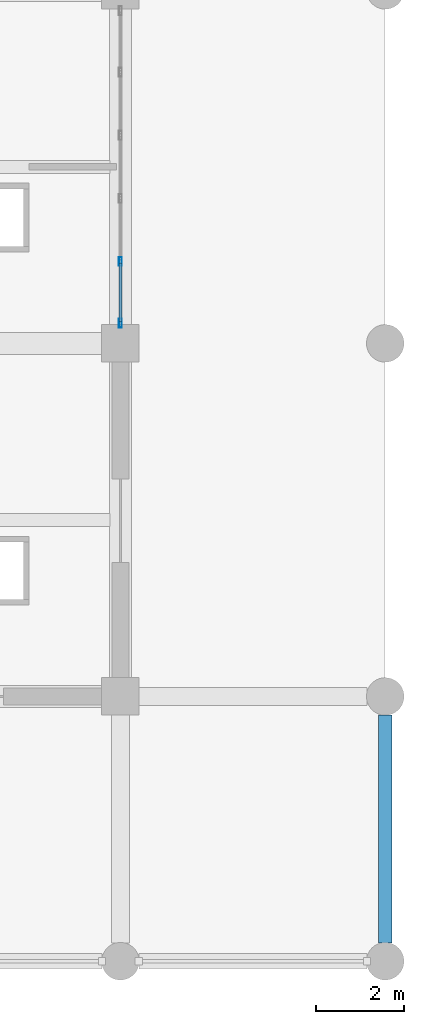
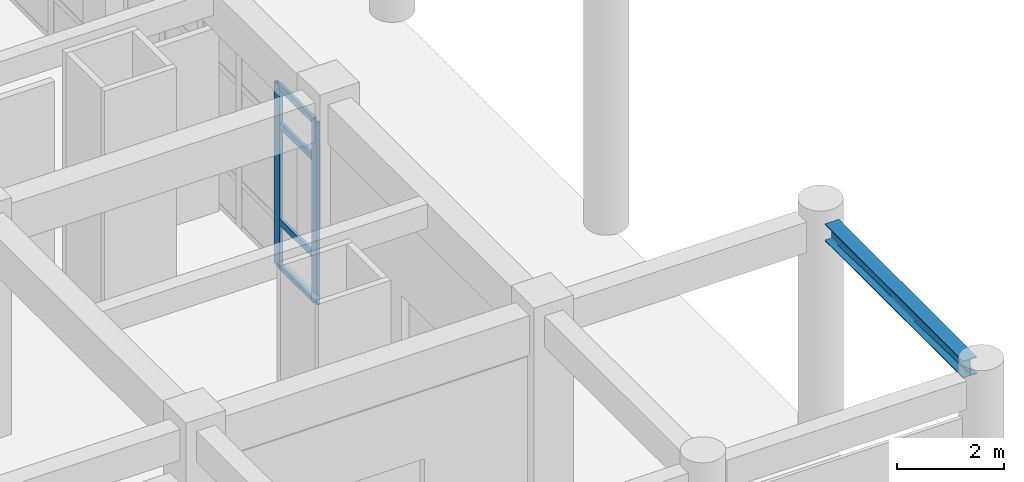
# One storey, part 37 of 84: 6 members, 1 beam, 1 element without a shape of its own.
"""IFC4 building model written with IfcOpenShell, lengths in metres."""

from ifc_helpers import new_model, si_unit, direction, frame, origin, origin_2d, place, context, subcontext, project, spatial, hollow_rectangle, i_section, extrude, material, layer, layer_set, material_profile, profile_set, type_object, element, aggregate, save


model = new_model("IFC4")

# Units and contexts
model_context = context("Model", 3, precision=1e-05, world=origin(), true_north=direction((0.0, 1.0)))
body_context = subcontext(model_context, "Body", "Model", "MODEL_VIEW")
ifc_project = project(units=[si_unit("LENGTHUNIT", "METRE"), si_unit("AREAUNIT", "SQUARE_METRE"), si_unit("VOLUMEUNIT", "CUBIC_METRE"), si_unit("PLANEANGLEUNIT", "RADIAN"), si_unit("MASSUNIT", "GRAM", prefix="KILO")], contexts=[model_context])

# Site, building, storey
site_placement = place(None, origin())
site = spatial("IfcSite", under=ifc_project, at=site_placement, CompositionType="ELEMENT")
building_placement = place(site_placement, origin())
building = spatial("IfcBuilding", under=site, at=building_placement, Name="Muzn Square Opera House", CompositionType="ELEMENT")
storey_placement = place(building_placement, origin())
storey = spatial("IfcBuildingStorey", under=building, at=storey_placement, Name="L00", CompositionType="ELEMENT", Elevation=0.0)

# Curtain wall, members
ifc_material_1 = material(Name="Low-E laminated acoustic double glazing", Category="glass")
ifc_layer = layer(ifc_material_1, 0.159912109375, Name="Low-E laminated acoustic double glazing", Category="glass")
ifc_layer_set = layer_set([ifc_layer], Name="Low-E laminated acoustic double glazing")
curtain_wall_type = type_object("IfcCurtainWallType", Name="Glazed Curtain Wall EastBlvd 7150x4150", PredefinedType="USERDEFINED", material=ifc_layer_set)
curtain_wall_placement = place(storey_placement, origin())
curtain_wall = element("IfcCurtainWall", 1, at=curtain_wall_placement, inside=storey, type_object=curtain_wall_type, Name="Glazed Curtain Wall CW-L00-105", ObjectType="GLAZED CURTAIN WALL", PredefinedType="USERDEFINED")
ifc_material_2 = material(Name="Anodised bronze aluminium 6063-T6", Category="metal")
ifc_material_profile_1 = material_profile(ifc_material_2, hollow_rectangle(XDim=0.070068359375, YDim=0.199951171875, WallThickness=0.0048828125, at=origin_2d()), Name="ALU 200x70x5", Category="metal")
ifc_profile_set_1 = profile_set([ifc_material_profile_1], Name="Anodised bronze aluminium 6063-T6")
member_type_1 = type_object("IfcMemberType", Name="Curtain Wall Mullion 200x70", PredefinedType="MULLION", material=ifc_profile_set_1)
member_1_placement = place(storey_placement, frame((170.0, 14.4599609375, 0.0), z_axis=(0.0, 0.0, 1.0), x_axis=(-1.0, 0.0, 0.0)))
member_1 = element("IfcMember", 2, at=member_1_placement, type_object=member_type_1, Name="CW-EBL-71x41 mullion 1", PredefinedType="MULLION", context=body_context, shape_type="SweptSolid", body=[
    extrude(hollow_rectangle(XDim=0.070068359375, YDim=0.199951171875, WallThickness=0.0048828125, at=origin_2d()), origin(), (0.0, 0.0, 1.0), 4.14990234375),
])
member_2_placement = place(storey_placement, frame((170.0, 15.85498046875, 0.0), z_axis=(0.0, 0.0, 1.0), x_axis=(-1.0, 0.0, 0.0)))
member_2 = element("IfcMember", 3, at=member_2_placement, type_object=member_type_1, Name="CW-EBL-71x41 mullion 2", PredefinedType="MULLION", context=body_context, shape_type="SweptSolid", body=[
    extrude(hollow_rectangle(XDim=0.070068359375, YDim=0.199951171875, WallThickness=0.0048828125, at=origin_2d()), origin(), (0.0, 0.0, 1.0), 4.14990234375),
])
ifc_material_profile_2 = material_profile(ifc_material_2, hollow_rectangle(XDim=0.070068359375, YDim=0.139892578125, WallThickness=0.00390625, at=origin_2d()), Name="ALU 140x70x4", Category="metal")
ifc_profile_set_2 = profile_set([ifc_material_profile_2], Name="Anodised bronze aluminium 6063-T6")
member_type_2 = type_object("IfcMemberType", Name="Curtain Wall Transom 140x70", PredefinedType="USERDEFINED", material=ifc_profile_set_2)
member_3_placement = place(storey_placement, frame((170.0, 14.4951171875, 0.034912109375), z_axis=(0.0, 1.0, 0.0), x_axis=(-1.0, 0.0, 0.0)))
member_3 = element("IfcMember", 4, at=member_3_placement, type_object=member_type_2, Name="CW-EBL-71x41 transom 1.1", ObjectType="TRANSOM", PredefinedType="USERDEFINED", context=body_context, shape_type="SweptSolid", body=[
    extrude(hollow_rectangle(XDim=0.070068359375, YDim=0.139892578125, WallThickness=0.00390625, at=origin_2d()), origin(), (0.0, 0.0, 1.0), 1.324951171875),
])
member_4_placement = place(storey_placement, frame((170.0, 14.4951171875, 1.050048828125), z_axis=(0.0, 1.0, 0.0), x_axis=(-1.0, 0.0, 0.0)))
member_4 = element("IfcMember", 5, at=member_4_placement, type_object=member_type_2, Name="CW-EBL-71x41 transom 1.2", ObjectType="TRANSOM", PredefinedType="USERDEFINED", context=body_context, shape_type="SweptSolid", body=[
    extrude(hollow_rectangle(XDim=0.070068359375, YDim=0.139892578125, WallThickness=0.00390625, at=origin_2d()), origin(), (0.0, 0.0, 1.0), 1.324951171875),
])
member_5_placement = place(storey_placement, frame((170.0, 14.4951171875, 3.25), z_axis=(0.0, 1.0, 0.0), x_axis=(-1.0, 0.0, 0.0)))
member_5 = element("IfcMember", 6, at=member_5_placement, type_object=member_type_2, Name="CW-EBL-71x41 transom 1.3", ObjectType="TRANSOM", PredefinedType="USERDEFINED", context=body_context, shape_type="SweptSolid", body=[
    extrude(hollow_rectangle(XDim=0.070068359375, YDim=0.139892578125, WallThickness=0.00390625, at=origin_2d()), origin(), (0.0, 0.0, 1.0), 1.324951171875),
])
member_6_placement = place(storey_placement, frame((170.0, 14.4951171875, 4.114990234375), z_axis=(0.0, 1.0, 0.0), x_axis=(-1.0, 0.0, 0.0)))
member_6 = element("IfcMember", 7, at=member_6_placement, type_object=member_type_2, Name="CW-EBL-71x41 transom 1.4", ObjectType="TRANSOM", PredefinedType="USERDEFINED", context=body_context, shape_type="SweptSolid", body=[
    extrude(hollow_rectangle(XDim=0.070068359375, YDim=0.139892578125, WallThickness=0.00390625, at=origin_2d()), origin(), (0.0, 0.0, 1.0), 1.324951171875),
])
aggregate(curtain_wall, [member_1, member_2, member_3, member_4, member_5, member_6])

# Beam
ifc_material_3 = material(Name="Steel S355", Category="steel")
ifc_material_profile_3 = material_profile(ifc_material_3, i_section(OverallWidth=0.300048828125, OverallDepth=0.389892578125, WebThickness=0.010986328125, FlangeThickness=0.01904296875, FilletRadius=0.027099609375, at=origin_2d()), Name="HEA 400", Category="steel")
ifc_profile_set_3 = profile_set([ifc_material_profile_3], Name="Steel S355")
beam_type = type_object("IfcBeamType", Name="Steel Spandrel Beam HEA400", PredefinedType="SPANDREL", material=ifc_profile_set_3)
beam_placement = place(storey_placement, frame((176.0, 0.4169921875, 4.925048828125), z_axis=(0.0, 1.0, 0.0), x_axis=(-1.0, 0.0, 0.0)))
element("IfcBeam", 8, at=beam_placement, inside=storey, type_object=beam_type, Name="Spandrel Beam BM-L00-BM-SSP400-1760_4_1760_56-1182", PredefinedType="SPANDREL", context=body_context, shape_type="SweptSolid", body=[
    extrude(i_section(OverallWidth=0.300048828125, OverallDepth=0.389892578125, WebThickness=0.010986328125, FlangeThickness=0.01904296875, FilletRadius=0.027099609375, at=origin_2d()), origin(), (0.0, 0.0, 1.0), 5.166015625),
])

save(model, "model.ifc")
